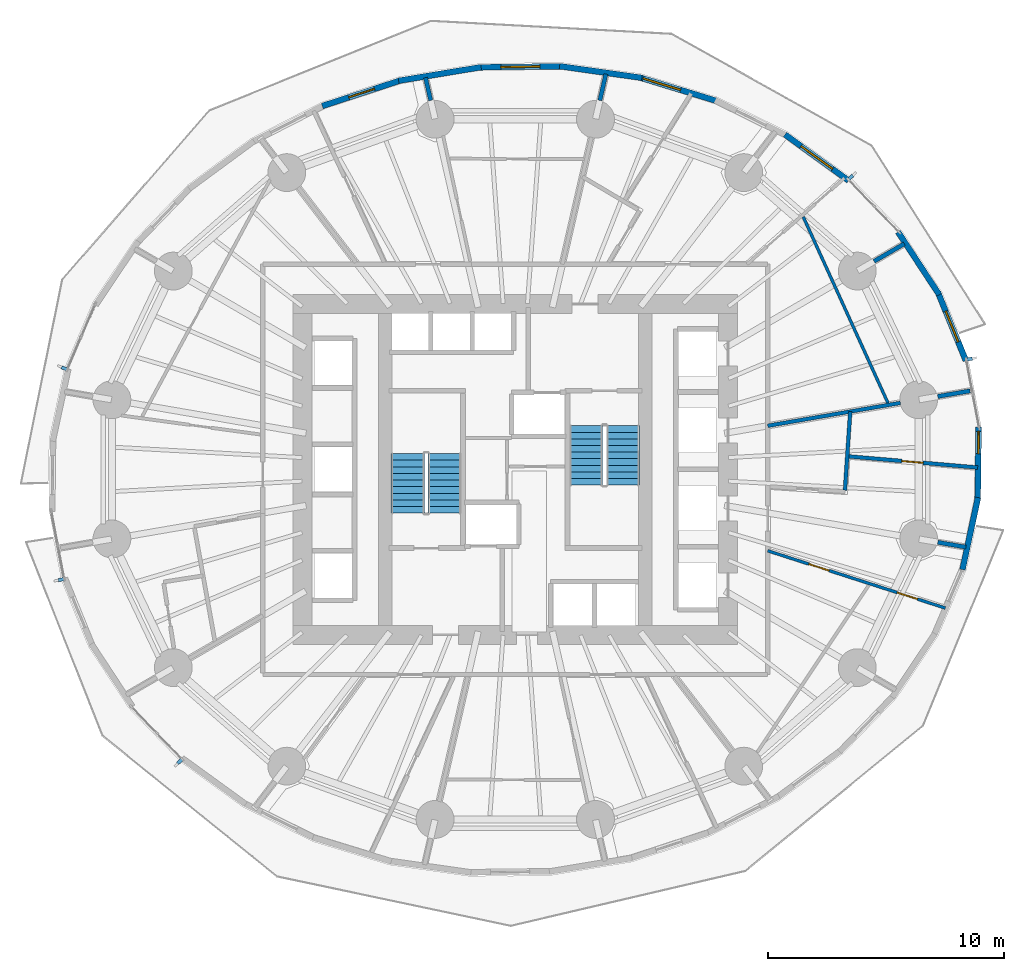
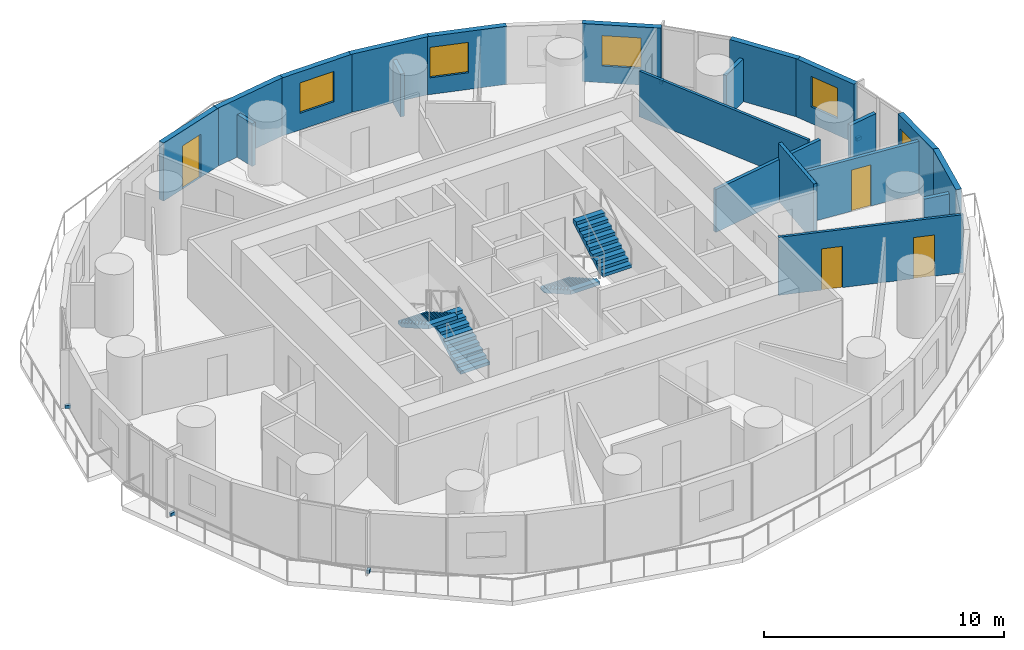
# One storey, part 10 of 14: 20 walls, 5 discrete accessories, 5 windows, 4 doors, 4 stair flights, 9 openings, 2 elements without a shape of their own.
"""IFC4 building model written with IfcOpenShell, lengths in metres."""

from ifc_helpers import new_model, si_unit, direction, frame, frame_2d, origin, origin_2d, place, context, subcontext, project, spatial, polyline, rectangle, outline, extrude, material, layer, layer_set, type_object, element, fill, aggregate, save


model = new_model("IFC4")

# Units and contexts
model_context = context("Model", 3, precision=1e-05, world=origin(), true_north=direction((0.0, 1.0)))
body_context = subcontext(model_context, "Body", "Model", "MODEL_VIEW")
ifc_project = project(units=[si_unit("LENGTHUNIT", "METRE"), si_unit("AREAUNIT", "SQUARE_METRE"), si_unit("VOLUMEUNIT", "CUBIC_METRE"), si_unit("PLANEANGLEUNIT", "RADIAN"), si_unit("MASSUNIT", "GRAM", prefix="KILO")], contexts=[model_context])

# Site, building, storey
site_placement = place(None, origin())
site = spatial("IfcSite", under=ifc_project, at=site_placement, CompositionType="ELEMENT")
building_placement = place(site_placement, origin())
building = spatial("IfcBuilding", under=site, at=building_placement, Name="Veldorim Arch Residences", CompositionType="ELEMENT")
storey_placement = place(building_placement, frame((0.0, 0.0, 28.0)))
storey = spatial("IfcBuildingStorey", under=building, at=storey_placement, Name="L07", CompositionType="ELEMENT", Elevation=28.0)

# Wall, openings, doors
ifc_material_1 = material(Name="Acoustic Gypsum Board", Category="gypsum")
ifc_layer_1 = layer(ifc_material_1, 0.125, Name="Acoustic Stud Room Partition Wall 125")
ifc_layer_set_1 = layer_set([ifc_layer_1], Name="Acoustic Gypsum Board")
wall_type_1 = type_object("IfcWallType", Name="Acoustic Stud Room Partition Wall 125", PredefinedType="PARTITIONING", material=ifc_layer_set_1)
wall_1_placement = place(storey_placement, frame((50.195068359375, 18.132080078125, 0.0), z_axis=(0.0, 0.0, 1.0), x_axis=(-0.951723769721, 0.306955804879, 0.0)))
wall_1 = element("IfcWall", 1, at=wall_1_placement, inside=storey, type_object=wall_type_1, Name="L07 interior wall WL-RES-L07-017", PredefinedType="PARTITIONING", context=body_context, shape_type="SweptSolid", body=[
    extrude(rectangle(XDim=7.896240234375, YDim=0.125, at=frame_2d((3.9482421875, 0.0))), origin(), (0.0, 0.0, 1.0), 2.955078125),
])
opening_1_placement = place(wall_1_placement, frame((1.2412109375, 0.0, 0.0)))
opening_1 = element("IfcOpeningElement", 2, at=opening_1_placement, cuts=wall_1, Name="Opening DR-INT", PredefinedType="OPENING", context=body_context, shape_type="SweptSolid", body=[
    extrude(rectangle(XDim=0.89990234375, YDim=2.10009765625, at=frame_2d((0.449951171875, 1.050048828125))), frame((0.0, 0.072509765625, 0.0), z_axis=(0.0, -1.0, 0.0), x_axis=(1.0, 0.0, 0.0)), (0.0, 0.0, 1.0), 0.14501953125),
])
opening_2_placement = place(wall_1_placement, frame((5.1689453125, 0.0, 0.0)))
opening_2 = element("IfcOpeningElement", 3, at=opening_2_placement, cuts=wall_1, Name="Opening DR-INT", PredefinedType="OPENING", context=body_context, shape_type="SweptSolid", body=[
    extrude(rectangle(XDim=0.89990234375, YDim=2.10009765625, at=frame_2d((0.449951171875, 1.050048828125))), frame((0.0, 0.072509765625, 0.0), z_axis=(0.0, -1.0, 0.0), x_axis=(1.0, 0.0, 0.0)), (0.0, 0.0, 1.0), 0.14501953125),
])
ifc_material_2 = material(Name="Engineered Timber", Category="wood")
door_type_1 = type_object("IfcDoorType", Name="Apartment Internal Room Timber Door 900x2100", OperationType="SINGLE_SWING_LEFT", PredefinedType="DOOR", material=ifc_material_2)
door_1_placement = place(opening_1_placement, origin())
door_1 = element("IfcDoor", 4, at=door_1_placement, inside=storey, type_object=door_type_1, Name="L07 interior door DR-RES-L07-010", OperationType="SINGLE_SWING_RIGHT", OverallHeight=2.10009765625, OverallWidth=0.89990234375, PredefinedType="DOOR", context=body_context, shape_type="SweptSolid", body=[
    extrude(rectangle(XDim=0.89990234375, YDim=2.10009765625, at=frame_2d((0.449951171875, 1.050048828125))), frame((0.0, 0.02490234375, 0.0), z_axis=(0.0, -1.0, 0.0), x_axis=(1.0, 0.0, 0.0)), (0.0, 0.0, 1.0), 0.050048828125),
])
fill(opening_1, door_1)
door_2_placement = place(opening_2_placement, origin())
door_2 = element("IfcDoor", 5, at=door_2_placement, inside=storey, type_object=door_type_1, Name="L07 interior door DR-RES-L07-011", OperationType="SINGLE_SWING_LEFT", OverallHeight=2.10009765625, OverallWidth=0.89990234375, PredefinedType="DOOR", context=body_context, shape_type="SweptSolid", body=[
    extrude(rectangle(XDim=0.89990234375, YDim=2.10009765625, at=frame_2d((0.449951171875, 1.050048828125))), frame((0.0, 0.02490234375, 0.0), z_axis=(0.0, -1.0, 0.0), x_axis=(1.0, 0.0, 0.0)), (0.0, 0.0, 1.0), 0.050048828125),
])
fill(opening_2, door_2)

# Walls
wall_2_placement = place(storey_placement, frame((47.76904296875, 26.800537109375, 0.0), z_axis=(0.0, 0.0, 1.0), x_axis=(-0.414076998559, 0.910241857565, 0.0)))
element("IfcWall", 6, at=wall_2_placement, inside=storey, type_object=wall_type_1, Name="L07 interior wall WL-RES-L07-027", PredefinedType="PARTITIONING", context=body_context, shape_type="SweptSolid", body=[
    extrude(rectangle(XDim=8.65771484375, YDim=0.125, at=frame_2d((4.328857421875, 0.0))), origin(), (0.0, 0.0, 1.0), 2.327880859375),
])
ifc_material_3 = material(Name="Lightweight Masonry Block & Gypsum", Category="masonry")
ifc_layer_2 = layer(ifc_material_3, 0.179931640625, Name="Compartment & Corridor Fire-Rated Party Wall 180")
ifc_layer_set_2 = layer_set([ifc_layer_2], Name="Lightweight Masonry Block & Gypsum")
wall_type_2 = type_object("IfcWallType", Name="Compartment & Corridor Fire-Rated Party Wall 180", PredefinedType="PARTITIONING", material=ifc_layer_set_2)
wall_3_placement = place(storey_placement, frame((49.873779296875, 27.08544921875, 0.0), z_axis=(0.0, 0.0, 1.0), x_axis=(0.985429571056, 0.170083980696, 0.0)))
element("IfcWall", 7, at=wall_3_placement, inside=storey, type_object=wall_type_2, Name="L07 interior wall WL-PIER-L07-01", PredefinedType="PARTITIONING", context=body_context, shape_type="SweptSolid", body=[
    extrude(rectangle(XDim=1.38525390625, YDim=0.179931640625, at=frame_2d((0.692626953125, 0.0))), origin(), (0.0, 0.0, 1.0), 2.17822265625),
])
wall_4_placement = place(storey_placement, frame((47.177001953125, 32.80029296875, 0.0), z_axis=(0.0, 0.0, 1.0), x_axis=(0.865049792178, 0.501686014408, 0.0)))
element("IfcWall", 8, at=wall_4_placement, inside=storey, type_object=wall_type_2, Name="L07 interior wall WL-PIER-L07-02", PredefinedType="PARTITIONING", context=body_context, shape_type="SweptSolid", body=[
    extrude(rectangle(XDim=1.48095703125, YDim=0.179931640625, at=frame_2d((0.740478515625, 0.0))), origin(), (0.0, 0.0, 1.0), 2.17822265625),
])
wall_5_placement = place(storey_placement, frame((35.577880859375, 39.609130859375, 0.0), z_axis=(0.0, 0.0, 1.0), x_axis=(0.223317049761, 0.974745861897, 0.0)))
element("IfcWall", 9, at=wall_5_placement, inside=storey, type_object=wall_type_2, Name="L07 interior wall WL-PIER-L07-04", PredefinedType="PARTITIONING", context=body_context, shape_type="SweptSolid", body=[
    extrude(rectangle(XDim=1.14453125, YDim=0.179931640625, at=frame_2d((0.572265625, 0.0))), origin(), (0.0, 0.0, 1.0), 2.17822265625),
])
wall_6_placement = place(storey_placement, frame((28.422119140625, 39.609130859375, 0.0), z_axis=(0.0, 0.0, 1.0), x_axis=(-0.223200215289, 0.974772621638, 0.0)))
element("IfcWall", 10, at=wall_6_placement, inside=storey, type_object=wall_type_2, Name="L07 interior wall WL-PIER-L07-05", PredefinedType="PARTITIONING", context=body_context, shape_type="SweptSolid", body=[
    extrude(rectangle(XDim=0.98876953125, YDim=0.179931640625, at=frame_2d((0.494384765625, 0.0))), origin(), (0.0, 0.0, 1.0), 2.17822265625),
])
wall_7_placement = place(storey_placement, frame((49.873779296875, 20.91455078125, 0.0), z_axis=(0.0, 0.0, 1.0), x_axis=(0.985412344637, -0.170183756676, 0.0)))
element("IfcWall", 11, at=wall_7_placement, inside=storey, type_object=wall_type_2, Name="L07 interior wall WL-PIER-L07-16", PredefinedType="PARTITIONING", context=body_context, shape_type="SweptSolid", body=[
    extrude(rectangle(XDim=1.210693359375, YDim=0.179931640625, at=frame_2d((0.60546875, 0.0))), origin(), (0.0, 0.0, 1.0), 2.17822265625),
])

# Wall, opening, window
ifc_material_4 = material(Name="Precast concrete C40/50", Category="concrete")
ifc_layer_3 = layer(ifc_material_4, 0.25, Name="Tower Terracotta Spandrel & Pier Wall 250")
ifc_layer_set_3 = layer_set([ifc_layer_3], Name="Precast concrete C40/50")
wall_type_3 = type_object("IfcWallType", Name="Tower Terracotta Spandrel & Pier Wall 250", PredefinedType="SOLIDWALL", material=ifc_layer_set_3)
wall_8_placement = place(storey_placement, frame((49.884521484375, 31.489013671875, 0.0), z_axis=(0.0, 0.0, 1.0), x_axis=(0.377493207518, -0.926012353199, 0.0)))
wall_8 = element("IfcWall", 12, at=wall_8_placement, inside=storey, type_object=wall_type_3, Name="L07 terracotta facade wall 02", PredefinedType="SOLIDWALL", context=body_context, shape_type="SweptSolid", body=[
    extrude(rectangle(XDim=3.12060546875, YDim=0.25, at=frame_2d((1.560302734375, 0.0))), origin(), (0.0, 0.0, 1.0), 2.9599609375),
])
opening_3_placement = place(wall_8_placement, frame((0.860107421875, 0.0, 0.85009765625)))
opening_3 = element("IfcOpeningElement", 13, at=opening_3_placement, cuts=wall_8, Name="Opening WN-02", PredefinedType="OPENING", context=body_context, shape_type="SweptSolid", body=[
    extrude(rectangle(XDim=1.39990234375, YDim=1.550048828125, at=frame_2d((0.699951171875, 0.77490234375))), frame((0.0, 0.135009765625, 0.0), z_axis=(0.0, -1.0, 0.0), x_axis=(1.0, 0.0, 0.0)), (0.0, 0.0, 1.0), 0.27001953125),
])
ifc_material_5 = material(Name="Laminated Low-E Glass", Category="glass")
window_type_1 = type_object("IfcWindowType", Name="Residential Casement Window 1400x1550", PartitioningType="SINGLE_PANEL", PredefinedType="WINDOW", material=ifc_material_5)
window_1_placement = place(opening_3_placement, origin())
window_1 = element("IfcWindow", 14, at=window_1_placement, inside=storey, type_object=window_type_1, Name="L07 solar-control facade window 02", OverallHeight=1.550048828125, OverallWidth=1.39990234375, PartitioningType="SINGLE_PANEL", PredefinedType="WINDOW", context=body_context, shape_type="SweptSolid", body=[
    extrude(rectangle(XDim=1.39990234375, YDim=1.550048828125, at=frame_2d((0.699951171875, 0.77490234375))), frame((0.0, 0.030029296875, 0.0), z_axis=(0.0, -1.0, 0.0), x_axis=(1.0, 0.0, 0.0)), (0.0, 0.0, 1.0), 0.06005859375),
])
fill(opening_3, window_1)

# Wall
wall_9_placement = place(storey_placement, frame((48.1962890625, 34.042236328125, 0.0), z_axis=(0.0, 0.0, 1.0), x_axis=(0.548579153619, -0.836098625889, 0.0)))
element("IfcWall", 15, at=wall_9_placement, inside=storey, type_object=wall_type_3, Name="L07 terracotta facade wall 03", PredefinedType="SOLIDWALL", context=body_context, shape_type="SweptSolid", body=[
    extrude(rectangle(XDim=3.174072265625, YDim=0.25, at=frame_2d((1.5869140625, 0.0))), origin(), (0.0, 0.0, 1.0), 2.9599609375),
])

# Wall, opening, window
wall_10_placement = place(storey_placement, frame((43.41064453125, 38.168212890625, 0.0), z_axis=(0.0, 0.0, 1.0), x_axis=(0.809637503316, -0.58693024562, 0.0)))
wall_10 = element("IfcWall", 16, at=wall_10_placement, inside=storey, type_object=wall_type_3, Name="L07 terracotta facade wall 05", PredefinedType="SOLIDWALL", context=body_context, shape_type="SweptSolid", body=[
    extrude(rectangle(XDim=3.32275390625, YDim=0.25, at=frame_2d((1.661376953125, 0.0))), origin(), (0.0, 0.0, 1.0), 2.9599609375),
])
opening_4_placement = place(wall_10_placement, frame((0.8359375, 0.0, 0.85009765625)))
opening_4 = element("IfcOpeningElement", 17, at=opening_4_placement, cuts=wall_10, Name="Opening WN-03", PredefinedType="OPENING", context=body_context, shape_type="SweptSolid", body=[
    extrude(rectangle(XDim=1.64990234375, YDim=1.550048828125, at=frame_2d((0.824951171875, 0.77490234375))), frame((0.0, 0.135009765625, 0.0), z_axis=(0.0, -1.0, 0.0), x_axis=(1.0, 0.0, 0.0)), (0.0, 0.0, 1.0), 0.27001953125),
])
ifc_material_6 = material(Name="Laminated Low-E Glass", Category="glass")
window_type_2 = type_object("IfcWindowType", Name="Residential Wide Window 1650x1550", PartitioningType="SINGLE_PANEL", PredefinedType="WINDOW", material=ifc_material_6)
window_2_placement = place(opening_4_placement, origin())
window_2 = element("IfcWindow", 18, at=window_2_placement, inside=storey, type_object=window_type_2, Name="L07 solar-control facade window 05", OverallHeight=1.550048828125, OverallWidth=1.64990234375, PartitioningType="SINGLE_PANEL", PredefinedType="WINDOW", context=body_context, shape_type="SweptSolid", body=[
    extrude(rectangle(XDim=1.64990234375, YDim=1.550048828125, at=frame_2d((0.824951171875, 0.77490234375))), frame((0.0, 0.030029296875, 0.0), z_axis=(0.0, -1.0, 0.0), x_axis=(1.0, 0.0, 0.0)), (0.0, 0.0, 1.0), 0.06005859375),
])
fill(opening_4, window_2)

wall_11_placement = place(storey_placement, frame((37.246337890625, 40.588623046875, 0.0), z_axis=(0.0, 0.0, 1.0), x_axis=(0.956266745267, -0.292496003213, 0.0)))
wall_11 = element("IfcWall", 19, at=wall_11_placement, inside=storey, type_object=wall_type_3, Name="L07 terracotta facade wall 07", PredefinedType="SOLIDWALL", context=body_context, shape_type="SweptSolid", body=[
    extrude(rectangle(XDim=3.46484375, YDim=0.25, at=frame_2d((1.732421875, 0.0))), origin(), (0.0, 0.0, 1.0), 2.9599609375),
])
opening_5_placement = place(wall_11_placement, frame((0.175048828125, 0.0, 0.85009765625)))
opening_5 = element("IfcOpeningElement", 20, at=opening_5_placement, cuts=wall_11, Name="Opening WN-03", PredefinedType="OPENING", context=body_context, shape_type="SweptSolid", body=[
    extrude(rectangle(XDim=1.64990234375, YDim=1.550048828125, at=frame_2d((0.824951171875, 0.77490234375))), frame((0.0, 0.135009765625, 0.0), z_axis=(0.0, -1.0, 0.0), x_axis=(1.0, 0.0, 0.0)), (0.0, 0.0, 1.0), 0.27001953125),
])
window_3_placement = place(opening_5_placement, origin())
window_3 = element("IfcWindow", 21, at=window_3_placement, inside=storey, type_object=window_type_2, Name="L07 solar-control facade window 07", OverallHeight=1.550048828125, OverallWidth=1.64990234375, PartitioningType="SINGLE_PANEL", PredefinedType="WINDOW", context=body_context, shape_type="SweptSolid", body=[
    extrude(rectangle(XDim=1.64990234375, YDim=1.550048828125, at=frame_2d((0.824951171875, 0.77490234375))), frame((0.0, 0.030029296875, 0.0), z_axis=(0.0, -1.0, 0.0), x_axis=(1.0, 0.0, 0.0)), (0.0, 0.0, 1.0), 0.06005859375),
])
fill(opening_5, window_3)

# Wall
wall_12_placement = place(storey_placement, frame((33.874755859375, 41.057861328125, 0.0), z_axis=(0.0, 0.0, 1.0), x_axis=(0.990105954495, -0.140321769067, 0.0)))
element("IfcWall", 22, at=wall_12_placement, inside=storey, type_object=wall_type_3, Name="L07 terracotta facade wall 08", PredefinedType="SOLIDWALL", context=body_context, shape_type="SweptSolid", body=[
    extrude(rectangle(XDim=3.5126953125, YDim=0.25, at=frame_2d((1.75634765625, 0.0))), origin(), (0.0, 0.0, 1.0), 2.9599609375),
])

# Wall, opening, window
wall_13_placement = place(storey_placement, frame((30.445556640625, 41.008056640625, 0.0), z_axis=(0.0, 0.0, 1.0), x_axis=(0.999927087517, 0.012075580727, 0.0)))
wall_13 = element("IfcWall", 23, at=wall_13_placement, inside=storey, type_object=wall_type_3, Name="L07 terracotta facade wall 09", PredefinedType="SOLIDWALL", context=body_context, shape_type="SweptSolid", body=[
    extrude(rectangle(XDim=3.5380859375, YDim=0.25, at=frame_2d((1.76904296875, 0.0))), origin(), (0.0, 0.0, 1.0), 2.9599609375),
])
opening_6_placement = place(wall_13_placement, frame((0.944091796875, 0.0, 0.85009765625)))
opening_6 = element("IfcOpeningElement", 24, at=opening_6_placement, cuts=wall_13, Name="Opening WN-03", PredefinedType="OPENING", context=body_context, shape_type="SweptSolid", body=[
    extrude(rectangle(XDim=1.64990234375, YDim=1.550048828125, at=frame_2d((0.824951171875, 0.77490234375))), frame((0.0, 0.135009765625, 0.0), z_axis=(0.0, -1.0, 0.0), x_axis=(1.0, 0.0, 0.0)), (0.0, 0.0, 1.0), 0.27001953125),
])
window_4_placement = place(opening_6_placement, origin())
window_4 = element("IfcWindow", 25, at=window_4_placement, inside=storey, type_object=window_type_2, Name="L07 solar-control facade window 09", OverallHeight=1.550048828125, OverallWidth=1.64990234375, PartitioningType="SINGLE_PANEL", PredefinedType="WINDOW", context=body_context, shape_type="SweptSolid", body=[
    extrude(rectangle(XDim=1.64990234375, YDim=1.550048828125, at=frame_2d((0.824951171875, 0.77490234375))), frame((0.0, 0.030029296875, 0.0), z_axis=(0.0, -1.0, 0.0), x_axis=(1.0, 0.0, 0.0)), (0.0, 0.0, 1.0), 0.06005859375),
])
fill(opening_6, window_4)

# Wall
wall_14_placement = place(storey_placement, frame((27.06298828125, 40.4404296875, 0.0), z_axis=(0.0, 0.0, 1.0), x_axis=(0.986605703013, 0.16312322576, 0.0)))
element("IfcWall", 26, at=wall_14_placement, inside=storey, type_object=wall_type_3, Name="L07 terracotta facade wall 10", PredefinedType="SOLIDWALL", context=body_context, shape_type="SweptSolid", body=[
    extrude(rectangle(XDim=3.5380859375, YDim=0.25, at=frame_2d((1.76904296875, 0.0))), origin(), (0.0, 0.0, 1.0), 2.9599609375),
])

# Wall, opening, door
wall_15_placement = place(storey_placement, frame((23.83056640625, 39.37255859375, 0.0), z_axis=(0.0, 0.0, 1.0), x_axis=(0.950290237418, 0.311365484066, 0.0)))
wall_15 = element("IfcWall", 27, at=wall_15_placement, inside=storey, type_object=wall_type_3, Name="L07 terracotta facade wall 11", PredefinedType="SOLIDWALL", context=body_context, shape_type="SweptSolid", body=[
    extrude(rectangle(XDim=3.5126953125, YDim=0.25, at=frame_2d((1.75634765625, 0.0))), origin(), (0.0, 0.0, 1.0), 2.9599609375),
])
opening_7_placement = place(wall_15_placement, frame((1.180908203125, 0.0, 0.0)))
opening_7 = element("IfcOpeningElement", 28, at=opening_7_placement, cuts=wall_15, Name="Opening BL-DR", PredefinedType="OPENING", context=body_context, shape_type="SweptSolid", body=[
    extrude(rectangle(XDim=1.14990234375, YDim=2.199951171875, at=frame_2d((0.574951171875, 1.10009765625))), frame((0.0, 0.135009765625, 0.0), z_axis=(0.0, -1.0, 0.0), x_axis=(1.0, 0.0, 0.0)), (0.0, 0.0, 1.0), 0.27001953125),
])
ifc_material_7 = material(Name="Aluminium & Low-E Glass", Category="aluminium")
door_type_2 = type_object("IfcDoorType", Name="Glazed Planted Balcony Door 1150x2200", OperationType="SINGLE_SWING_LEFT", PredefinedType="DOOR", material=ifc_material_7)
door_3_placement = place(opening_7_placement, origin())
door_3 = element("IfcDoor", 29, at=door_3_placement, inside=storey, type_object=door_type_2, Name="L07 glazed outdoor terrace door BALC-1", OperationType="SINGLE_SWING_LEFT", OverallHeight=2.199951171875, OverallWidth=1.14990234375, PredefinedType="DOOR", context=body_context, shape_type="SweptSolid", body=[
    extrude(rectangle(XDim=1.14990234375, YDim=2.199951171875, at=frame_2d((0.574951171875, 1.10009765625))), frame((0.0, 0.02490234375, 0.0), z_axis=(0.0, -1.0, 0.0), x_axis=(1.0, 0.0, 0.0)), (0.0, 0.0, 1.0), 0.050048828125),
])
fill(opening_7, door_3)

# Wall
wall_16_placement = place(storey_placement, frame((51.573486328125, 22.80810546875, 0.0), z_axis=(0.0, 0.0, 1.0), x_axis=(-0.209668000253, -0.977772637002, 0.0)))
element("IfcWall", 30, at=wall_16_placement, inside=storey, type_object=wall_type_3, Name="L07 terracotta facade wall 35", PredefinedType="SOLIDWALL", context=body_context, shape_type="SweptSolid", body=[
    extrude(rectangle(XDim=3.12060546875, YDim=0.25, at=frame_2d((1.560302734375, 0.0))), origin(), (0.0, 0.0, 1.0), 2.9599609375),
])

# Wall, opening, window
wall_17_placement = place(storey_placement, frame((51.59912109375, 25.785888671875, 0.0), z_axis=(0.0, 0.0, 1.0), x_axis=(-0.012397373015, -0.999923149618, 0.0)))
wall_17 = element("IfcWall", 31, at=wall_17_placement, inside=storey, type_object=wall_type_3, Name="L07 terracotta facade wall 36", PredefinedType="SOLIDWALL", context=body_context, shape_type="SweptSolid", body=[
    extrude(rectangle(XDim=3.091796875, YDim=0.25, at=frame_2d((1.5458984375, 0.0))), origin(), (0.0, 0.0, 1.0), 2.9599609375),
])
opening_8_placement = place(wall_17_placement, frame((0.175048828125, 0.0, 0.85009765625)))
opening_8 = element("IfcOpeningElement", 32, at=opening_8_placement, cuts=wall_17, Name="Opening WN-05", PredefinedType="OPENING", context=body_context, shape_type="SweptSolid", body=[
    extrude(rectangle(XDim=0.949951171875, YDim=1.449951171875, at=frame_2d((0.47509765625, 0.72509765625))), frame((0.0, 0.135009765625, 0.0), z_axis=(0.0, -1.0, 0.0), x_axis=(1.0, 0.0, 0.0)), (0.0, 0.0, 1.0), 0.27001953125),
])
ifc_material_8 = material(Name="Laminated Low-E Glass", Category="glass")
window_type_3 = type_object("IfcWindowType", Name="Residential Compact Casement Window 950x1450", PartitioningType="SINGLE_PANEL", PredefinedType="WINDOW", material=ifc_material_8)
window_5_placement = place(opening_8_placement, origin())
window_5 = element("IfcWindow", 33, at=window_5_placement, inside=storey, type_object=window_type_3, Name="L07 solar-control facade window 36", OverallHeight=1.449951171875, OverallWidth=0.949951171875, PartitioningType="SINGLE_PANEL", PredefinedType="WINDOW", context=body_context, shape_type="SweptSolid", body=[
    extrude(rectangle(XDim=0.949951171875, YDim=1.449951171875, at=frame_2d((0.47509765625, 0.72509765625))), frame((0.0, 0.030029296875, 0.0), z_axis=(0.0, -1.0, 0.0), x_axis=(1.0, 0.0, 0.0)), (0.0, 0.0, 1.0), 0.06005859375),
])
fill(opening_8, window_5)

# Wall, opening, door
ifc_material_9 = material(Name="Moisture-Resistant Gypsum & Stud", Category="gypsum")
ifc_layer_4 = layer(ifc_material_9, 0.159912109375, Name="Wet-Area Moisture-Resistant Plumbing Wall 160")
ifc_layer_set_4 = layer_set([ifc_layer_4], Name="Moisture-Resistant Gypsum & Stud")
wall_type_4 = type_object("IfcWallType", Name="Wet-Area Moisture-Resistant Plumbing Wall 160", PredefinedType="PLUMBINGWALL", material=ifc_layer_set_4)
wall_18_placement = place(storey_placement, frame((46.043701171875, 24.5546875, 0.0), z_axis=(0.0, 0.0, 1.0), x_axis=(0.996262385211, -0.086378584226, 0.0)))
wall_18 = element("IfcWall", 34, at=wall_18_placement, inside=storey, type_object=wall_type_4, Name="L07 interior wall WL-RES-L07-016", PredefinedType="PLUMBINGWALL", context=body_context, shape_type="SweptSolid", body=[
    extrude(rectangle(XDim=5.539794921875, YDim=0.159912109375, at=frame_2d((2.77001953125, 0.0))), origin(), (0.0, 0.0, 1.0), 2.641357421875),
])
opening_9_placement = place(wall_18_placement, frame((2.320068359375, 0.0, 0.0)))
opening_9 = element("IfcOpeningElement", 35, at=opening_9_placement, cuts=wall_18, Name="Opening DR-WC", PredefinedType="OPENING", context=body_context, shape_type="SweptSolid", body=[
    extrude(rectangle(XDim=0.89990234375, YDim=2.10009765625, at=frame_2d((0.449951171875, 1.050048828125))), frame((0.0, 0.08984375, 0.0), z_axis=(0.0, -1.0, 0.0), x_axis=(1.0, 0.0, 0.0)), (0.0, 0.0, 1.0), 0.179931640625),
])
ifc_material_10 = material(Name="Laminate Timber", Category="wood")
door_type_3 = type_object("IfcDoorType", Name="Bathroom & Accessible WC Moisture-Sealed Door 900x2100", OperationType="SINGLE_SWING_LEFT", PredefinedType="DOOR", material=ifc_material_10)
door_4_placement = place(opening_9_placement, origin())
door_4 = element("IfcDoor", 36, at=door_4_placement, inside=storey, type_object=door_type_3, Name="L07 interior door DR-RES-L07-009", OperationType="SINGLE_SWING_LEFT", OverallHeight=2.10009765625, OverallWidth=0.89990234375, PredefinedType="DOOR", context=body_context, shape_type="SweptSolid", body=[
    extrude(rectangle(XDim=0.89990234375, YDim=2.10009765625, at=frame_2d((0.449951171875, 1.050048828125))), frame((0.0, 0.02490234375, 0.0), z_axis=(0.0, -1.0, 0.0), x_axis=(1.0, 0.0, 0.0)), (0.0, 0.0, 1.0), 0.050048828125),
])
fill(opening_9, door_4)

# Walls
wall_19_placement = place(storey_placement, frame((45.947265625, 23.117431640625, 0.0), z_axis=(0.0, 0.0, 1.0), x_axis=(0.066888153037, 0.997760479766, 0.0)))
element("IfcWall", 37, at=wall_19_placement, inside=storey, type_object=wall_type_4, Name="L07 interior wall WL-RES-L07-019", PredefinedType="PLUMBINGWALL", context=body_context, shape_type="SweptSolid", body=[
    extrude(rectangle(XDim=3.336181640625, YDim=0.159912109375, at=frame_2d((1.66796875, 0.0))), origin(), (0.0, 0.0, 1.0), 2.955078125),
])
wall_20_placement = place(storey_placement, frame((42.679931640625, 25.843994140625, 0.0), z_axis=(0.0, 0.0, 1.0), x_axis=(0.985435597438, 0.170049061456, 0.0)))
element("IfcWall", 38, at=wall_20_placement, inside=storey, type_object=wall_type_4, Name="L07 interior wall WL-RES-L07-020", PredefinedType="PLUMBINGWALL", context=body_context, shape_type="SweptSolid", body=[
    extrude(rectangle(XDim=5.694091796875, YDim=0.159912109375, at=frame_2d((2.84716796875, 0.0))), origin(), (0.0, 0.0, 1.0), 2.17822265625),
])

# Stair, stair flights
ifc_material_11 = material(Name="Concrete C40/50", Category="concrete")
stair_type = type_object("IfcStairType", Name="Reinforced Concrete Dogleg Exit Staircase", PredefinedType="HALF_TURN_STAIR", material=ifc_material_11)
stair_1_placement = place(storey_placement, origin())
stair_1 = element("IfcStair", 39, at=stair_1_placement, inside=storey, type_object=stair_type, Name="L07 Exit Staircase ST-1", PredefinedType="HALF_TURN_STAIR")
ifc_material_12 = material(Name="Concrete C40/50", Category="concrete")
stair_flight_type = type_object("IfcStairFlightType", Name="Reinforced Concrete Stair Flight 1400", PredefinedType="STRAIGHT", material=ifc_material_12)
stair_flight_1_placement = place(storey_placement, frame((29.010009765625, 22.14990234375, 0.0), z_axis=(0.0, 0.0, 1.0), x_axis=(0.0, 1.0, 0.0)))
stair_flight_1 = element("IfcStairFlight", 40, at=stair_flight_1_placement, type_object=stair_flight_type, Name="ST-1 flight 1", NumberOfRisers=10, NumberOfTreads=9, PredefinedType="STRAIGHT", RiserHeight=0.16, TreadLength=0.28, context=body_context, shape_type="SweptSolid", body=[
    extrude(outline(polyline([(0.0, 0.0), (0.0, 0.159912109375), (0.280029296875, 0.159912109375), (0.280029296875, 0.320068359375), (0.56005859375, 0.320068359375), (0.56005859375, 0.47998046875), (0.840087890625, 0.47998046875), (0.840087890625, 0.639892578125), (1.1201171875, 0.639892578125), (1.1201171875, 0.800048828125), (1.39990234375, 0.800048828125), (1.39990234375, 0.9599609375), (1.679931640625, 0.9599609375), (1.679931640625, 1.1201171875), (1.9599609375, 1.1201171875), (1.9599609375, 1.280029296875), (2.239990234375, 1.280029296875), (2.239990234375, 1.43994140625), (2.52001953125, 1.43994140625), (2.52001953125, 1.60009765625), (2.52001953125, 1.255859375), (0.322265625, 0.0), (0.0, 0.0)])), frame((0.0, 0.699951171875, 0.0), z_axis=(0.0, -1.0, 0.0), x_axis=(1.0, 0.0, 0.0)), (0.0, 0.0, 1.0), 1.39990234375),
])
stair_flight_2_placement = place(storey_placement, frame((27.449951171875, 24.669921875, 1.60009765625), z_axis=(0.0, 0.0, 1.0), x_axis=(0.0, -1.0, 0.0)))
stair_flight_2 = element("IfcStairFlight", 41, at=stair_flight_2_placement, type_object=stair_flight_type, Name="ST-1 flight 2", NumberOfRisers=10, NumberOfTreads=9, PredefinedType="STRAIGHT", RiserHeight=0.16, TreadLength=0.28, context=body_context, shape_type="SweptSolid", body=[
    extrude(outline(polyline([(0.0, 0.0), (0.0, 0.159912109375), (0.280029296875, 0.159912109375), (0.280029296875, 0.320068359375), (0.56005859375, 0.320068359375), (0.56005859375, 0.47998046875), (0.840087890625, 0.47998046875), (0.840087890625, 0.639892578125), (1.1201171875, 0.639892578125), (1.1201171875, 0.800048828125), (1.39990234375, 0.800048828125), (1.39990234375, 0.9599609375), (1.679931640625, 0.9599609375), (1.679931640625, 1.1201171875), (1.9599609375, 1.1201171875), (1.9599609375, 1.280029296875), (2.239990234375, 1.280029296875), (2.239990234375, 1.43994140625), (2.52001953125, 1.43994140625), (2.52001953125, 1.60009765625), (2.52001953125, 1.255859375), (0.322265625, 0.0), (0.0, 0.0)])), frame((0.0, 0.699951171875, 0.0), z_axis=(0.0, -1.0, 0.0), x_axis=(1.0, 0.0, 0.0)), (0.0, 0.0, 1.0), 1.39990234375),
])
aggregate(stair_1, [stair_flight_1, stair_flight_2])

stair_2_placement = place(storey_placement, origin())
stair_2 = element("IfcStair", 42, at=stair_2_placement, inside=storey, type_object=stair_type, Name="L07 Exit Staircase ST-2", PredefinedType="HALF_TURN_STAIR")
stair_flight_3_placement = place(storey_placement, frame((34.989990234375, 25.85009765625, 0.0), z_axis=(0.0, 0.0, 1.0), x_axis=(0.0, -1.0, 0.0)))
stair_flight_3 = element("IfcStairFlight", 43, at=stair_flight_3_placement, type_object=stair_flight_type, Name="ST-2 flight 1", NumberOfRisers=10, NumberOfTreads=9, PredefinedType="STRAIGHT", RiserHeight=0.16, TreadLength=0.28, context=body_context, shape_type="SweptSolid", body=[
    extrude(outline(polyline([(0.0, 0.0), (0.0, 0.159912109375), (0.280029296875, 0.159912109375), (0.280029296875, 0.320068359375), (0.56005859375, 0.320068359375), (0.56005859375, 0.47998046875), (0.840087890625, 0.47998046875), (0.840087890625, 0.639892578125), (1.1201171875, 0.639892578125), (1.1201171875, 0.800048828125), (1.39990234375, 0.800048828125), (1.39990234375, 0.9599609375), (1.679931640625, 0.9599609375), (1.679931640625, 1.1201171875), (1.9599609375, 1.1201171875), (1.9599609375, 1.280029296875), (2.239990234375, 1.280029296875), (2.239990234375, 1.43994140625), (2.52001953125, 1.43994140625), (2.52001953125, 1.60009765625), (2.52001953125, 1.255859375), (0.322265625, 0.0), (0.0, 0.0)])), frame((0.0, 0.699951171875, 0.0), z_axis=(0.0, -1.0, 0.0), x_axis=(1.0, 0.0, 0.0)), (0.0, 0.0, 1.0), 1.39990234375),
])
stair_flight_4_placement = place(storey_placement, frame((36.550048828125, 23.330078125, 1.60009765625), z_axis=(0.0, 0.0, 1.0), x_axis=(0.0, 1.0, 0.0)))
stair_flight_4 = element("IfcStairFlight", 44, at=stair_flight_4_placement, type_object=stair_flight_type, Name="ST-2 flight 2", NumberOfRisers=10, NumberOfTreads=9, PredefinedType="STRAIGHT", RiserHeight=0.16, TreadLength=0.28, context=body_context, shape_type="SweptSolid", body=[
    extrude(outline(polyline([(0.0, 0.0), (0.0, 0.159912109375), (0.280029296875, 0.159912109375), (0.280029296875, 0.320068359375), (0.56005859375, 0.320068359375), (0.56005859375, 0.47998046875), (0.840087890625, 0.47998046875), (0.840087890625, 0.639892578125), (1.1201171875, 0.639892578125), (1.1201171875, 0.800048828125), (1.39990234375, 0.800048828125), (1.39990234375, 0.9599609375), (1.679931640625, 0.9599609375), (1.679931640625, 1.1201171875), (1.9599609375, 1.1201171875), (1.9599609375, 1.280029296875), (2.239990234375, 1.280029296875), (2.239990234375, 1.43994140625), (2.52001953125, 1.43994140625), (2.52001953125, 1.60009765625), (2.52001953125, 1.255859375), (0.322265625, 0.0), (0.0, 0.0)])), frame((0.0, 0.699951171875, 0.0), z_axis=(0.0, -1.0, 0.0), x_axis=(1.0, 0.0, 0.0)), (0.0, 0.0, 1.0), 1.39990234375),
])
aggregate(stair_2, [stair_flight_3, stair_flight_4])

# Discrete accessories
ifc_material_13 = material(Name="Stainless Steel", Category="steel")
discrete_accessory_type = type_object("IfcDiscreteAccessoryType", Name="Stainless Steel Facade Fin Anchor Bracket", PredefinedType="BRACKET", material=ifc_material_13)
for number, where, z_axis, x_axis, name in (
    (45, (51.214111328125, 28.6650390625, -0.02001953125), (0.0, 0.0, 1.0), (0.187209870265, -0.982319939976, 0.0), "L07 stainless fin anchor bracket 01"),
    (46, (46.194580078125, 36.355224609375, -0.02001953125), (0.0, 0.0, 1.0), (0.693527577607, -0.720430079257, 0.0), "L07 stainless fin anchor bracket 04"),
    (47, (12.918212890625, 28.27392578125, -0.02001953125), (0.0, 0.0, 1.0), (0.393781484212, 0.919204081089, 0.0), "L07 stainless fin anchor bracket 16"),
    (48, (12.785888671875, 19.3349609375, -0.02001953125), (0.0, 0.0, 1.0), (-0.187209870265, 0.982319939976, 0.0), "L07 stainless fin anchor bracket 19"),
    (49, (17.805419921875, 11.644775390625, -0.02001953125), (0.0, 0.0, 1.0), (-0.693527577607, 0.720430079257, 0.0), "L07 stainless fin anchor bracket 22"),
):
    element("IfcDiscreteAccessory", number, at=place(storey_placement, frame(where, z_axis=z_axis, x_axis=x_axis)), inside=storey, type_object=discrete_accessory_type, Name=name, PredefinedType="BRACKET", context=body_context, shape_type="SweptSolid", body=[
        extrude(rectangle(XDim=0.139892578125, YDim=0.239990234375, at=origin_2d()), origin(), (0.0, 0.0, 1.0), 0.159912109375),
    ])

save(model, "model.ifc")
